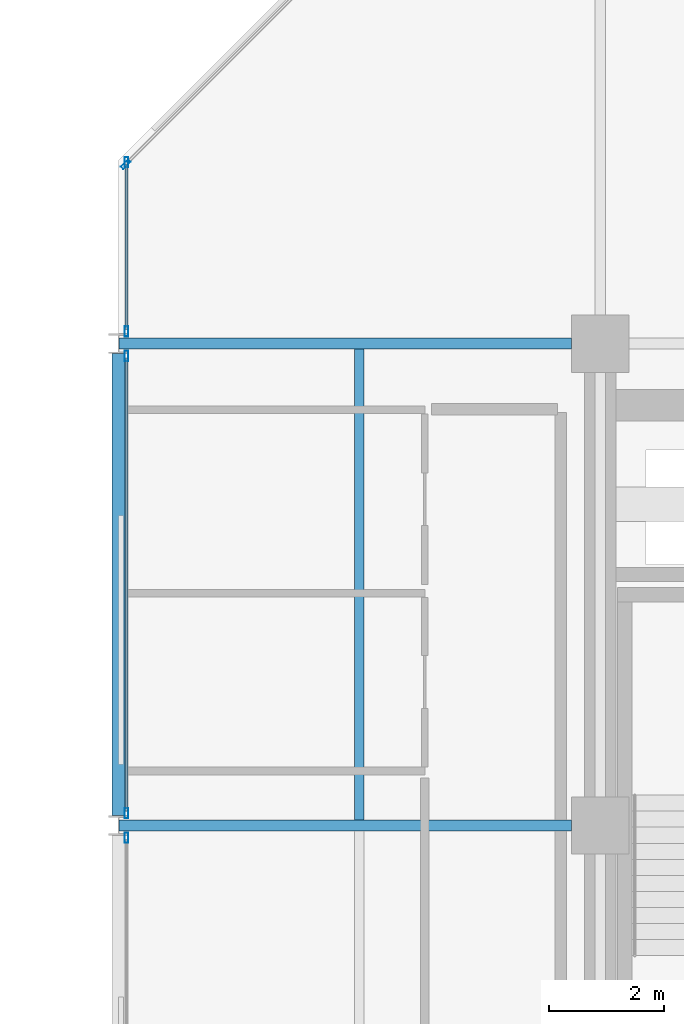
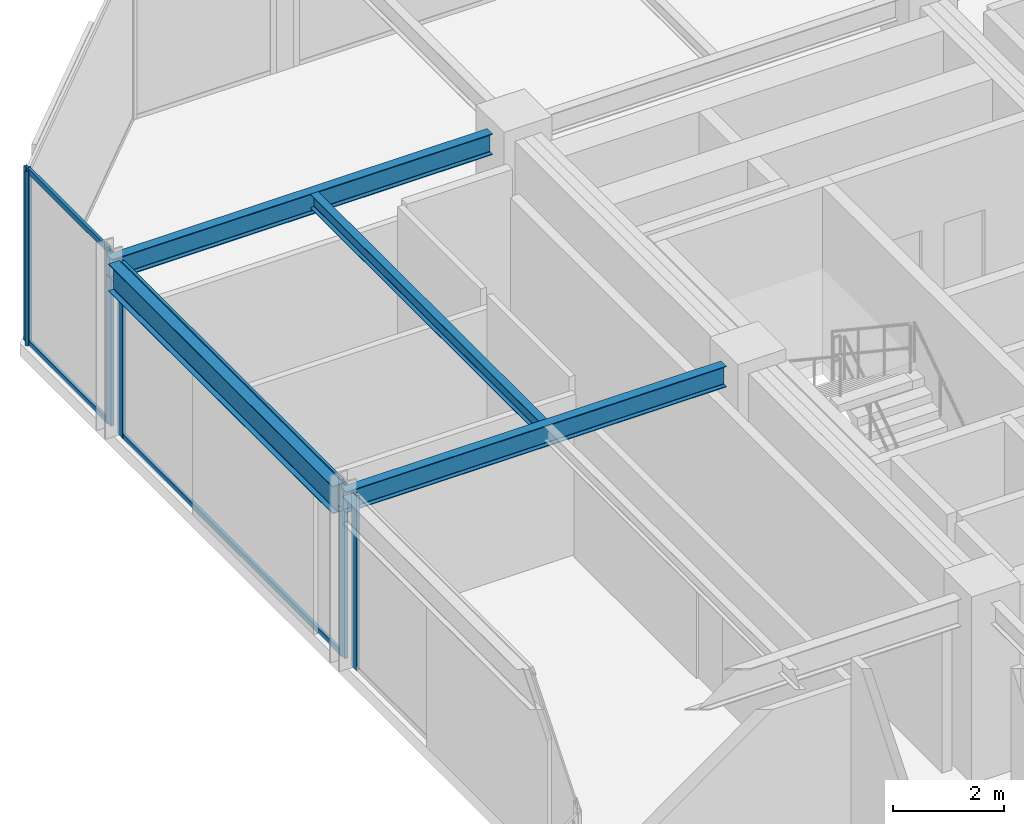
# One storey, part 17 of 29: 10 members, 4 beams, 4 elements without a shape of their own.
"""IFC4 building model written with IfcOpenShell, lengths in metres."""

from ifc_helpers import new_model, si_unit, direction, frame, origin, origin_2d, place, context, subcontext, project, spatial, hollow_rectangle, i_section, extrude, material, layer, layer_set, material_profile, profile_set, type_object, element, aggregate, save


model = new_model("IFC4")

# Units and contexts
model_context = context("Model", 3, precision=1e-05, world=origin(), true_north=direction((0.0, 1.0)))
body_context = subcontext(model_context, "Body", "Model", "MODEL_VIEW")
ifc_project = project(units=[si_unit("LENGTHUNIT", "METRE"), si_unit("AREAUNIT", "SQUARE_METRE"), si_unit("VOLUMEUNIT", "CUBIC_METRE"), si_unit("PLANEANGLEUNIT", "RADIAN"), si_unit("MASSUNIT", "GRAM", prefix="KILO")], contexts=[model_context])

# Site, building, storey
site_placement = place(None, origin())
site = spatial("IfcSite", under=ifc_project, at=site_placement, CompositionType="ELEMENT")
building_placement = place(site_placement, origin())
building = spatial("IfcBuilding", under=site, at=building_placement, Name="Nerrivon Quay Data Exchange", CompositionType="ELEMENT")
storey_placement = place(building_placement, frame((0.0, 0.0, 183.699951171875)))
storey = spatial("IfcBuildingStorey", under=building, at=storey_placement, Name="L43", CompositionType="ELEMENT", Elevation=183.699951171875)

# Beams
ifc_material_1 = material(Name="Steel Grade 350", Category="steel")
ifc_material_profile_1 = material_profile(ifc_material_1, i_section(OverallWidth=0.22802734375, OverallDepth=0.60205078125, WebThickness=0.010498046875, FlangeThickness=0.014892578125, FilletRadius=0.013916015625, at=origin_2d()), Name="610UB101")
ifc_profile_set_1 = profile_set([ifc_material_profile_1], Name="Steel Grade 350")
beam_type_1 = type_object("IfcBeamType", Name="BM-G2-610UB101", PredefinedType="BEAM", material=ifc_profile_set_1)
beam_1_placement = place(storey_placement, frame((0.0, 33.77490234375, 3.524169921875), z_axis=(0.0, 1.0, 0.0), x_axis=(-1.0, 0.0, 0.0)))
element("IfcBeam", 1, at=beam_1_placement, inside=storey, type_object=beam_type_1, Name="L43 NS Girder X=0.0 (33.6..42.0)", PredefinedType="BEAM", context=body_context, shape_type="SweptSolid", body=[
    extrude(i_section(OverallWidth=0.22802734375, OverallDepth=0.60205078125, WebThickness=0.010498046875, FlangeThickness=0.014892578125, FilletRadius=0.013916015625, at=origin_2d()), origin(), (0.0, 0.0, 1.0), 8.050048828125),
])
ifc_material_profile_2 = material_profile(ifc_material_1, i_section(OverallWidth=0.19091796875, OverallDepth=0.4599609375, WebThickness=0.010009765625, FlangeThickness=0.01611328125, FilletRadius=0.011474609375, at=origin_2d()), Name="460UB82.1")
ifc_profile_set_2 = profile_set([ifc_material_profile_2], Name="Steel Grade 350")
beam_type_2 = type_object("IfcBeamType", Name="BM-G5-460UB82", PredefinedType="BEAM", material=ifc_profile_set_2)
for number, where, z_axis, x_axis, name in (
    (2, (0.010009765625, 33.60009765625, 3.594970703125), (1.0, 0.0, 0.0), (0.0, 1.0, 0.0), "L43 EW Girder Y=33.6 (0.0..8.4)"),
    (3, (0.010009765625, 42.0, 3.594970703125), (1.0, 0.0, 0.0), (0.0, 1.0, 0.0), "L43 EW Girder Y=42.0 (0.0..8.4)"),
):
    element("IfcBeam", number, at=place(storey_placement, frame(where, z_axis=z_axis, x_axis=x_axis)), inside=storey, type_object=beam_type_2, Name=name, PredefinedType="BEAM", context=body_context, shape_type="SweptSolid", body=[
        extrude(i_section(OverallWidth=0.19091796875, OverallDepth=0.4599609375, WebThickness=0.010009765625, FlangeThickness=0.01611328125, FilletRadius=0.011474609375, at=origin_2d()), origin(), (0.0, 0.0, 1.0), 7.889892578125),
    ])
ifc_material_profile_3 = material_profile(ifc_material_1, i_section(OverallWidth=0.166015625, OverallDepth=0.306884765625, WebThickness=0.006591796875, FlangeThickness=0.01171875, FilletRadius=0.011474609375, at=origin_2d()), Name="310UB46.2")
ifc_profile_set_3 = profile_set([ifc_material_profile_3], Name="Steel Grade 350")
beam_type_3 = type_object("IfcBeamType", Name="BM-J5-310UB46", PredefinedType="JOIST", material=ifc_profile_set_3)
beam_2_placement = place(storey_placement, frame((4.199951171875, 33.695556640625, 3.671630859375), z_axis=(0.0, 1.0, 0.0), x_axis=(-1.0, 0.0, 0.0)))
element("IfcBeam", 4, at=beam_2_placement, inside=storey, type_object=beam_type_3, Name="L43 Secondary Joist X=4.2 (33.6..42.0)", PredefinedType="JOIST", context=body_context, shape_type="SweptSolid", body=[
    extrude(i_section(OverallWidth=0.166015625, OverallDepth=0.306884765625, WebThickness=0.006591796875, FlangeThickness=0.01171875, FilletRadius=0.011474609375, at=origin_2d()), origin(), (0.0, 0.0, 1.0), 8.208984375),
])

# Curtain wall, member
ifc_material_2 = material(Name="Anodised aluminium 6063-T6", Category="aluminium")
ifc_layer = layer(ifc_material_2, 0.195068359375)
ifc_layer_set = layer_set([ifc_layer], Name="Anodised aluminium 6063-T6")
curtain_wall_type = type_object("IfcCurtainWallType", Name="CW-SYS-06", PredefinedType="NOTDEFINED", material=ifc_layer_set)
curtain_wall_1_placement = place(storey_placement, origin())
curtain_wall_1 = element("IfcCurtainWall", 5, at=curtain_wall_1_placement, inside=storey, type_object=curtain_wall_type, Name="L43 Unitised Curtain Wall 4", PredefinedType="NOTDEFINED")
ifc_material_profile_4 = material_profile(ifc_material_2, hollow_rectangle(XDim=0.06494140625, YDim=0.179931640625, WallThickness=0.00341796875, at=origin_2d()), Name="ALU-MULL-180x65")
ifc_profile_set_4 = profile_set([ifc_material_profile_4], Name="Anodised aluminium 6063-T6")
member_type_1 = type_object("IfcMemberType", Name="CWM-180x65", PredefinedType="MULLION", material=ifc_profile_set_4)
member_1_placement = place(storey_placement, frame((0.139892578125, 33.387451171875, 0.0), z_axis=(0.0, 0.0, 1.0), x_axis=(-1.0, 0.0, 0.0)))
member_1 = element("IfcMember", 6, at=member_1_placement, type_object=member_type_1, Name="CW06 mullion 2", PredefinedType="MULLION", context=body_context, shape_type="SweptSolid", body=[
    extrude(hollow_rectangle(XDim=0.06494140625, YDim=0.179931640625, WallThickness=0.00341796875, at=origin_2d()), origin(), (0.0, 0.0, 1.0), 3.824951171875),
])
aggregate(curtain_wall_1, [member_1])

# Curtain wall, members
curtain_wall_2_placement = place(storey_placement, origin())
curtain_wall_2 = element("IfcCurtainWall", 7, at=curtain_wall_2_placement, inside=storey, type_object=curtain_wall_type, Name="L43 Unitised Curtain Wall 5", PredefinedType="NOTDEFINED")
member_2_placement = place(storey_placement, frame((0.139892578125, 33.8125, 0.0), z_axis=(0.0, 0.0, 1.0), x_axis=(-1.0, 0.0, 0.0)))
member_2 = element("IfcMember", 8, at=member_2_placement, type_object=member_type_1, Name="CW06 mullion 1", PredefinedType="MULLION", context=body_context, shape_type="SweptSolid", body=[
    extrude(hollow_rectangle(XDim=0.06494140625, YDim=0.179931640625, WallThickness=0.00341796875, at=origin_2d()), origin(), (0.0, 0.0, 1.0), 3.824951171875),
])
member_3_placement = place(storey_placement, frame((0.139892578125, 41.78759765625, 0.0), z_axis=(0.0, 0.0, 1.0), x_axis=(-1.0, 0.0, 0.0)))
member_3 = element("IfcMember", 9, at=member_3_placement, type_object=member_type_1, Name="CW06 mullion 2", PredefinedType="MULLION", context=body_context, shape_type="SweptSolid", body=[
    extrude(hollow_rectangle(XDim=0.06494140625, YDim=0.179931640625, WallThickness=0.00341796875, at=origin_2d()), origin(), (0.0, 0.0, 1.0), 3.824951171875),
])

curtain_wall_3_placement = place(storey_placement, origin())
curtain_wall_3 = element("IfcCurtainWall", 10, at=curtain_wall_3_placement, inside=storey, type_object=curtain_wall_type, Name="L43 Unitised Curtain Wall 6", PredefinedType="NOTDEFINED")
member_4_placement = place(storey_placement, frame((0.139892578125, 42.21240234375, 0.0), z_axis=(0.0, 0.0, 1.0), x_axis=(-1.0, 0.0, 0.0)))
member_4 = element("IfcMember", 11, at=member_4_placement, type_object=member_type_1, Name="CW06 mullion 1", PredefinedType="MULLION", context=body_context, shape_type="SweptSolid", body=[
    extrude(hollow_rectangle(XDim=0.06494140625, YDim=0.179931640625, WallThickness=0.00341796875, at=origin_2d()), origin(), (0.0, 0.0, 1.0), 3.824951171875),
])
member_5_placement = place(storey_placement, frame((0.139892578125, 45.16259765625, 0.0), z_axis=(0.0, 0.0, 1.0), x_axis=(-1.0, 0.0, 0.0)))
member_5 = element("IfcMember", 12, at=member_5_placement, type_object=member_type_1, Name="CW06 mullion 2", PredefinedType="MULLION", context=body_context, shape_type="SweptSolid", body=[
    extrude(hollow_rectangle(XDim=0.06494140625, YDim=0.179931640625, WallThickness=0.00341796875, at=origin_2d()), origin(), (0.0, 0.0, 1.0), 3.824951171875),
])

# Curtain wall, member
curtain_wall_4_placement = place(storey_placement, origin())
curtain_wall_4 = element("IfcCurtainWall", 13, at=curtain_wall_4_placement, inside=storey, type_object=curtain_wall_type, Name="L43 Unitised Curtain Wall 7", PredefinedType="NOTDEFINED")
member_6_placement = place(storey_placement, frame((0.12548828125, 45.12744140625, 0.0), z_axis=(0.0, 0.0, 1.0), x_axis=(-0.707106781187, 0.707106781187, 0.0)))
member_6 = element("IfcMember", 14, at=member_6_placement, type_object=member_type_1, Name="CW06 mullion 1", PredefinedType="MULLION", context=body_context, shape_type="SweptSolid", body=[
    extrude(hollow_rectangle(XDim=0.06494140625, YDim=0.179931640625, WallThickness=0.00341796875, at=origin_2d()), origin(), (0.0, 0.0, 1.0), 3.824951171875),
])
aggregate(curtain_wall_4, [member_6])

# Member
ifc_material_profile_5 = material_profile(ifc_material_2, hollow_rectangle(XDim=0.06005859375, YDim=0.1201171875, WallThickness=0.003173828125, at=origin_2d()), Name="ALU-TRAN-120x60")
ifc_profile_set_5 = profile_set([ifc_material_profile_5], Name="Anodised aluminium 6063-T6")
member_type_2 = type_object("IfcMemberType", Name="CWT-120x60", PredefinedType="USERDEFINED", material=ifc_profile_set_5)
member_7_placement = place(storey_placement, frame((0.139892578125, 33.85009765625, 0.032470703125), z_axis=(0.0, 1.0, 0.0), x_axis=(-1.0, 0.0, 0.0)))
member_7 = element("IfcMember", 15, at=member_7_placement, type_object=member_type_2, Name="CW06 transom 1.1", ObjectType="TRANSOM", PredefinedType="USERDEFINED", context=body_context, shape_type="SweptSolid", body=[
    extrude(hollow_rectangle(XDim=0.06005859375, YDim=0.1201171875, WallThickness=0.003173828125, at=origin_2d()), origin(), (0.0, 0.0, 1.0), 7.89990234375),
])

member_8_placement = place(storey_placement, frame((0.139892578125, 33.85009765625, 3.79248046875), z_axis=(0.0, 1.0, 0.0), x_axis=(-1.0, 0.0, 0.0)))
member_8 = element("IfcMember", 16, at=member_8_placement, type_object=member_type_2, Name="CW06 transom 1.2", ObjectType="TRANSOM", PredefinedType="USERDEFINED", context=body_context, shape_type="SweptSolid", body=[
    extrude(hollow_rectangle(XDim=0.06005859375, YDim=0.1201171875, WallThickness=0.003173828125, at=origin_2d()), origin(), (0.0, 0.0, 1.0), 7.89990234375),
])

aggregate(curtain_wall_2, [member_2, member_3, member_7, member_8])

member_9_placement = place(storey_placement, frame((0.139892578125, 42.25, 0.032470703125), z_axis=(0.0, 1.0, 0.0), x_axis=(-1.0, 0.0, 0.0)))
member_9 = element("IfcMember", 17, at=member_9_placement, type_object=member_type_2, Name="CW06 transom 1.1", ObjectType="TRANSOM", PredefinedType="USERDEFINED", context=body_context, shape_type="SweptSolid", body=[
    extrude(hollow_rectangle(XDim=0.06005859375, YDim=0.1201171875, WallThickness=0.003173828125, at=origin_2d()), origin(), (0.0, 0.0, 1.0), 2.875),
])

member_10_placement = place(storey_placement, frame((0.139892578125, 42.25, 3.79248046875), z_axis=(0.0, 1.0, 0.0), x_axis=(-1.0, 0.0, 0.0)))
member_10 = element("IfcMember", 18, at=member_10_placement, type_object=member_type_2, Name="CW06 transom 1.2", ObjectType="TRANSOM", PredefinedType="USERDEFINED", context=body_context, shape_type="SweptSolid", body=[
    extrude(hollow_rectangle(XDim=0.06005859375, YDim=0.1201171875, WallThickness=0.003173828125, at=origin_2d()), origin(), (0.0, 0.0, 1.0), 2.875),
])

aggregate(curtain_wall_3, [member_4, member_5, member_9, member_10])

save(model, "model.ifc")
